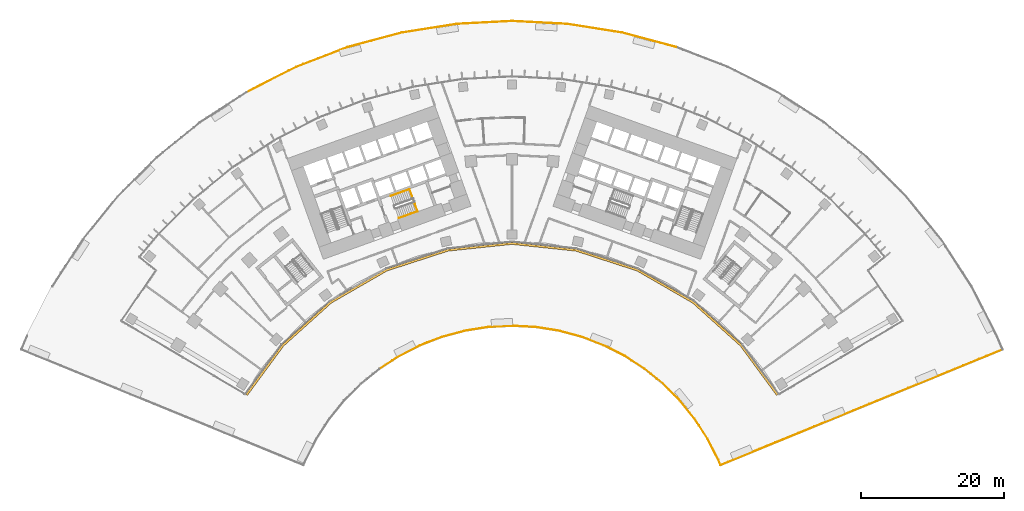
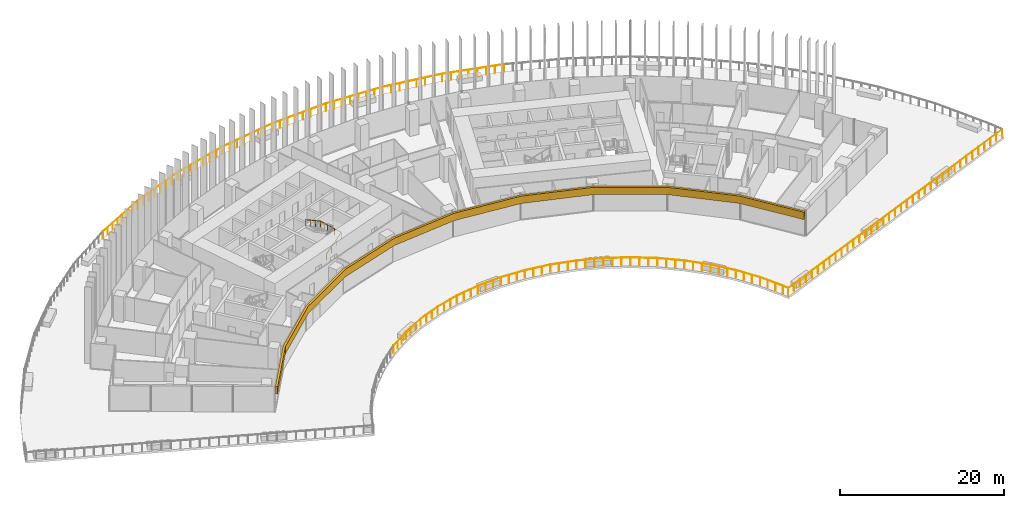
# One storey, part 23 of 24: 3 railings, 1 covering.
"""IFC4 building model written with IfcOpenShell, lengths in metres."""

from ifc_helpers import new_model, si_unit, direction, frame, origin, origin_2d, place, context, subcontext, project, spatial, polyline, circle, outline, extrude, material, layer, layer_set, type_object, element, save


model = new_model("IFC4")

# Units and contexts
model_context = context("Model", 3, precision=1e-05, world=origin(), true_north=direction((0.0, 1.0)))
body_context = subcontext(model_context, "Body", "Model", "MODEL_VIEW")
ifc_project = project(units=[si_unit("LENGTHUNIT", "METRE"), si_unit("AREAUNIT", "SQUARE_METRE"), si_unit("VOLUMEUNIT", "CUBIC_METRE"), si_unit("PLANEANGLEUNIT", "RADIAN"), si_unit("MASSUNIT", "GRAM", prefix="KILO")], contexts=[model_context])

# Site, building, storey
site_placement = place(None, origin())
site = spatial("IfcSite", under=ifc_project, at=site_placement, CompositionType="ELEMENT")
building_placement = place(site_placement, origin())
building = spatial("IfcBuilding", under=site, at=building_placement, Name="Stone Belt Terrace Tower", CompositionType="ELEMENT")
storey_placement = place(building_placement, frame((0.0, 0.0, 30.0)))
storey = spatial("IfcBuildingStorey", under=building, at=storey_placement, Name="L06", CompositionType="ELEMENT", Elevation=30.0)

# Railings
ifc_material_1 = material(Name="Structural steel C345", Category="steel")
railing_type_1 = type_object("IfcRailingType", Name="Stair handrail 900", PredefinedType="HANDRAIL", material=ifc_material_1)
railing_1_placement = place(storey_placement, frame((-15.8642578125, 46.7392578125, 0.172607421875)))
element("IfcRailing", 1, at=railing_1_placement, inside=storey, type_object=railing_type_1, Name="L06 ST2A stair handrail 1", PredefinedType="HANDRAIL", context=body_context, shape_type="SweptSolid", body=[
    extrude(circle(Radius=0.02392578125, at=origin_2d()), frame((0.0, 0.0, 0.8759765625), z_axis=(0.800791768495, 0.288228637646, 0.525030280985), x_axis=(-0.338660803216, 0.940908529223, 0.0)), (0.0, 0.0, 1.0), 3.289794921875),
    extrude(circle(Radius=0.02392578125, at=origin_2d()), frame((2.634521484375, 0.9482421875, 2.60302734375), z_axis=(-0.338158948057, 0.939634149308, 0.052308615955), x_axis=(-0.940922302781, -0.338622533404, 0.0)), (0.0, 0.0, 1.0), 3.304443359375),
    extrude(circle(Radius=0.02392578125, at=origin_2d()), frame((1.51708984375, 4.05322265625, 2.77587890625), z_axis=(-0.800791768495, -0.288228637646, 0.525030280985), x_axis=(0.338660803216, -0.940908529223, 0.0)), (0.0, 0.0, 1.0), 3.289794921875),
    extrude(circle(Radius=0.02099609375, at=origin_2d()), origin(), (0.0, 0.0, 1.0), 0.851806640625),
    extrude(circle(Radius=0.02099609375, at=origin_2d()), frame((0.878173828125, 0.316162109375, 0.57568359375)), (0.0, 0.0, 1.0), 0.851806640625),
    extrude(circle(Radius=0.02099609375, at=origin_2d()), frame((1.75634765625, 0.632080078125, 1.151611328125)), (0.0, 0.0, 1.0), 0.851806640625),
    extrude(circle(Radius=0.02099609375, at=origin_2d()), frame((2.634521484375, 0.9482421875, 1.727294921875)), (0.0, 0.0, 1.0), 0.851806640625),
    extrude(circle(Radius=0.02099609375, at=origin_2d()), frame((2.261962890625, 1.983154296875, 1.784912109375)), (0.0, 0.0, 1.0), 0.851806640625),
    extrude(circle(Radius=0.02099609375, at=origin_2d()), frame((1.8896484375, 3.018310546875, 1.842529296875)), (0.0, 0.0, 1.0), 0.851806640625),
    extrude(circle(Radius=0.02099609375, at=origin_2d()), frame((1.51708984375, 4.05322265625, 1.900146484375)), (0.0, 0.0, 1.0), 0.851806640625),
    extrude(circle(Radius=0.02099609375, at=origin_2d()), frame((0.638916015625, 3.737060546875, 2.475830078125)), (0.0, 0.0, 1.0), 0.851806640625),
    extrude(circle(Radius=0.02099609375, at=origin_2d()), frame((-0.2392578125, 3.421142578125, 3.0517578125)), (0.0, 0.0, 1.0), 0.851806640625),
    extrude(circle(Radius=0.02099609375, at=origin_2d()), frame((-1.117431640625, 3.10498046875, 3.62744140625)), (0.0, 0.0, 1.0), 0.851806640625),
])
ifc_material_2 = material(Name="Stainless steel AISI 304", Category="steel")
railing_type_2 = type_object("IfcRailingType", Name="Terrace guard 1200", PredefinedType="GUARDRAIL", material=ifc_material_2)
railing_2_placement = place(storey_placement, frame((-18.603515625, 25.60546875, 0.0)))
element("IfcRailing", 2, at=railing_2_placement, inside=storey, type_object=railing_type_2, Name="GUARD L06 1.2", PredefinedType="GUARDRAIL", context=body_context, shape_type="SweptSolid", body=[
    extrude(circle(Radius=0.02490234375, at=origin_2d()), frame((0.0, 0.0, 1.1748046875), z_axis=(0.838645603885, 0.544677474369, 0.0), x_axis=(-0.544677474369, 0.838645603885, 0.0)), (0.0, 0.0, 1.0), 3.312744140625),
    extrude(circle(Radius=0.02490234375, at=origin_2d()), frame((2.7783203125, 1.804443359375, 1.1748046875), z_axis=(0.891026561624, 0.453951171913, 0.0), x_axis=(-0.453951171913, 0.891026561624, 0.0)), (0.0, 0.0, 1.0), 3.31298828125),
    extrude(circle(Radius=0.02490234375, at=origin_2d()), frame((5.730224609375, 3.308349609375, 1.1748046875), z_axis=(0.93357523868, 0.35838146398, 0.0), x_axis=(-0.35838146398, 0.93357523868, 0.0)), (0.0, 0.0, 1.0), 3.312744140625),
    extrude(circle(Radius=0.02490234375, at=origin_2d()), frame((8.822998046875, 4.49560546875, 1.1748046875), z_axis=(0.965926011729, 0.258818353032, 0.0), x_axis=(-0.258818353032, 0.965926011729, 0.0)), (0.0, 0.0, 1.0), 3.312744140625),
    extrude(circle(Radius=0.02490234375, at=origin_2d()), frame((12.02294921875, 5.35302734375, 1.1748046875), z_axis=(0.987686366803, 0.156446926563, 0.0), x_axis=(-0.156446926563, 0.987686366803, 0.0)), (0.0, 0.0, 1.0), 3.31298828125),
    extrude(circle(Radius=0.02490234375, at=origin_2d()), frame((15.295166015625, 5.871337890625, 1.1748046875), z_axis=(0.998630219544, 0.052322888043, 0.0), x_axis=(-0.052322888043, 0.998630219544, 0.0)), (0.0, 0.0, 1.0), 3.31298828125),
    extrude(circle(Radius=0.02490234375, at=origin_2d()), frame((18.603515625, 6.044677734375, 1.1748046875), z_axis=(0.998630219544, -0.052322888043, 0.0), x_axis=(0.052322888043, 0.998630219544, 0.0)), (0.0, 0.0, 1.0), 3.31298828125),
    extrude(circle(Radius=0.02490234375, at=origin_2d()), frame((21.911865234375, 5.871337890625, 1.1748046875), z_axis=(0.987686366803, -0.156446926563, 0.0), x_axis=(0.156446926563, 0.987686366803, 0.0)), (0.0, 0.0, 1.0), 3.31298828125),
    extrude(circle(Radius=0.02490234375, at=origin_2d()), frame((25.18408203125, 5.35302734375, 1.1748046875), z_axis=(0.965926011729, -0.258818353032, 0.0), x_axis=(0.258818353032, 0.965926011729, 0.0)), (0.0, 0.0, 1.0), 3.312744140625),
    extrude(circle(Radius=0.02490234375, at=origin_2d()), frame((28.384033203125, 4.49560546875, 1.1748046875), z_axis=(0.93357523868, -0.35838146398, 0.0), x_axis=(0.35838146398, 0.93357523868, 0.0)), (0.0, 0.0, 1.0), 3.312744140625),
    extrude(circle(Radius=0.02490234375, at=origin_2d()), frame((31.476806640625, 3.308349609375, 1.1748046875), z_axis=(0.891026561624, -0.453951171913, 0.0), x_axis=(0.453951171913, 0.891026561624, 0.0)), (0.0, 0.0, 1.0), 3.31298828125),
    extrude(circle(Radius=0.02490234375, at=origin_2d()), frame((34.4287109375, 1.804443359375, 1.1748046875), z_axis=(0.838645603885, -0.544677474369, 0.0), x_axis=(0.544677474369, 0.838645603885, 0.0)), (0.0, 0.0, 1.0), 3.312744140625),
    extrude(circle(Radius=0.02490234375, at=origin_2d()), frame((37.20703125, 0.0, 1.1748046875), z_axis=(0.777181368406, -0.629276664595, 0.0), x_axis=(0.629276664595, 0.777181368406, 0.0)), (0.0, 0.0, 1.0), 3.31298828125),
    extrude(circle(Radius=0.02490234375, at=origin_2d()), frame((39.78173828125, -2.084716796875, 1.1748046875), z_axis=(0.707106781187, -0.707106781187, 0.0), x_axis=(0.707106781187, 0.707106781187, 0.0)), (0.0, 0.0, 1.0), 3.312744140625),
    extrude(circle(Radius=0.02490234375, at=origin_2d()), frame((42.124267578125, -4.42724609375, 1.1748046875), z_axis=(0.629276664595, -0.777181368406, 0.0), x_axis=(0.777181368406, 0.629276664595, 0.0)), (0.0, 0.0, 1.0), 3.31298828125),
    extrude(circle(Radius=0.02490234375, at=origin_2d()), frame((44.208984375, -7.001953125, 1.1748046875), z_axis=(0.544677474369, -0.838645603885, 0.0), x_axis=(0.838645603885, 0.544677474369, 0.0)), (0.0, 0.0, 1.0), 3.312744140625),
    extrude(circle(Radius=0.02490234375, at=origin_2d()), frame((46.013427734375, -9.7802734375, 1.1748046875), z_axis=(0.453956717024, -0.891023736535, 0.0), x_axis=(0.891023736535, 0.453956717024, 0.0)), (0.0, 0.0, 1.0), 3.310302734375),
    extrude(circle(Radius=0.02490234375, at=origin_2d()), frame((47.51611328125, -12.729736328125, 1.1748046875), z_axis=(0.393255393644, -0.919429276981, 0.0), x_axis=(0.919429276981, 0.393255393644, 0.0)), (0.0, 0.0, 1.0), 0.799072265625),
    extrude(circle(Radius=0.02490234375, at=origin_2d()), frame((47.830322265625, -13.46435546875, 1.1748046875), z_axis=(0.925297113284, 0.379242998814, 0.0), x_axis=(-0.379242998814, 0.925297113284, 0.0)), (0.0, 0.0, 1.0), 42.69970703125),
    extrude(circle(Radius=0.02001953125, at=origin_2d()), origin(), (0.0, 0.0, 1.0), 1.14990234375),
    extrude(circle(Radius=0.02001953125, at=origin_2d()), frame((0.926025390625, 0.6015625, 0.0)), (0.0, 0.0, 1.0), 1.14990234375),
    extrude(circle(Radius=0.02001953125, at=origin_2d()), frame((1.852294921875, 1.202880859375, 0.0)), (0.0, 0.0, 1.0), 1.14990234375),
    extrude(circle(Radius=0.02001953125, at=origin_2d()), frame((2.7783203125, 1.804443359375, 0.0)), (0.0, 0.0, 1.0), 1.14990234375),
    extrude(circle(Radius=0.02001953125, at=origin_2d()), frame((3.76220703125, 2.3056640625, 0.0)), (0.0, 0.0, 1.0), 1.14990234375),
    extrude(circle(Radius=0.02001953125, at=origin_2d()), frame((4.746337890625, 2.80712890625, 0.0)), (0.0, 0.0, 1.0), 1.14990234375),
    extrude(circle(Radius=0.02001953125, at=origin_2d()), frame((5.730224609375, 3.308349609375, 0.0)), (0.0, 0.0, 1.0), 1.14990234375),
    extrude(circle(Radius=0.02001953125, at=origin_2d()), frame((6.76123046875, 3.7041015625, 0.0)), (0.0, 0.0, 1.0), 1.14990234375),
    extrude(circle(Radius=0.02001953125, at=origin_2d()), frame((7.7919921875, 4.099853515625, 0.0)), (0.0, 0.0, 1.0), 1.14990234375),
    extrude(circle(Radius=0.02001953125, at=origin_2d()), frame((8.822998046875, 4.49560546875, 0.0)), (0.0, 0.0, 1.0), 1.14990234375),
    extrude(circle(Radius=0.02001953125, at=origin_2d()), frame((9.8896484375, 4.781494140625, 0.0)), (0.0, 0.0, 1.0), 1.14990234375),
    extrude(circle(Radius=0.02001953125, at=origin_2d()), frame((10.956298828125, 5.067138671875, 0.0)), (0.0, 0.0, 1.0), 1.14990234375),
    extrude(circle(Radius=0.02001953125, at=origin_2d()), frame((12.02294921875, 5.35302734375, 0.0)), (0.0, 0.0, 1.0), 1.14990234375),
    extrude(circle(Radius=0.02001953125, at=origin_2d()), frame((13.11376953125, 5.52587890625, 0.0)), (0.0, 0.0, 1.0), 1.14990234375),
    extrude(circle(Radius=0.02001953125, at=origin_2d()), frame((14.204345703125, 5.698486328125, 0.0)), (0.0, 0.0, 1.0), 1.14990234375),
    extrude(circle(Radius=0.02001953125, at=origin_2d()), frame((15.295166015625, 5.871337890625, 0.0)), (0.0, 0.0, 1.0), 1.14990234375),
    extrude(circle(Radius=0.02001953125, at=origin_2d()), frame((16.39794921875, 5.92919921875, 0.0)), (0.0, 0.0, 1.0), 1.14990234375),
    extrude(circle(Radius=0.02001953125, at=origin_2d()), frame((17.500732421875, 5.98681640625, 0.0)), (0.0, 0.0, 1.0), 1.14990234375),
    extrude(circle(Radius=0.02001953125, at=origin_2d()), frame((18.603515625, 6.044677734375, 0.0)), (0.0, 0.0, 1.0), 1.14990234375),
    extrude(circle(Radius=0.02001953125, at=origin_2d()), frame((19.706298828125, 5.98681640625, 0.0)), (0.0, 0.0, 1.0), 1.14990234375),
    extrude(circle(Radius=0.02001953125, at=origin_2d()), frame((20.80908203125, 5.92919921875, 0.0)), (0.0, 0.0, 1.0), 1.14990234375),
    extrude(circle(Radius=0.02001953125, at=origin_2d()), frame((21.911865234375, 5.871337890625, 0.0)), (0.0, 0.0, 1.0), 1.14990234375),
    extrude(circle(Radius=0.02001953125, at=origin_2d()), frame((23.002685546875, 5.698486328125, 0.0)), (0.0, 0.0, 1.0), 1.14990234375),
    extrude(circle(Radius=0.02001953125, at=origin_2d()), frame((24.09326171875, 5.52587890625, 0.0)), (0.0, 0.0, 1.0), 1.14990234375),
    extrude(circle(Radius=0.02001953125, at=origin_2d()), frame((25.18408203125, 5.35302734375, 0.0)), (0.0, 0.0, 1.0), 1.14990234375),
    extrude(circle(Radius=0.02001953125, at=origin_2d()), frame((26.250732421875, 5.067138671875, 0.0)), (0.0, 0.0, 1.0), 1.14990234375),
    extrude(circle(Radius=0.02001953125, at=origin_2d()), frame((27.3173828125, 4.781494140625, 0.0)), (0.0, 0.0, 1.0), 1.14990234375),
    extrude(circle(Radius=0.02001953125, at=origin_2d()), frame((28.384033203125, 4.49560546875, 0.0)), (0.0, 0.0, 1.0), 1.14990234375),
    extrude(circle(Radius=0.02001953125, at=origin_2d()), frame((29.4150390625, 4.099853515625, 0.0)), (0.0, 0.0, 1.0), 1.14990234375),
    extrude(circle(Radius=0.02001953125, at=origin_2d()), frame((30.44580078125, 3.7041015625, 0.0)), (0.0, 0.0, 1.0), 1.14990234375),
    extrude(circle(Radius=0.02001953125, at=origin_2d()), frame((31.476806640625, 3.308349609375, 0.0)), (0.0, 0.0, 1.0), 1.14990234375),
    extrude(circle(Radius=0.02001953125, at=origin_2d()), frame((32.460693359375, 2.80712890625, 0.0)), (0.0, 0.0, 1.0), 1.14990234375),
    extrude(circle(Radius=0.02001953125, at=origin_2d()), frame((33.44482421875, 2.3056640625, 0.0)), (0.0, 0.0, 1.0), 1.14990234375),
    extrude(circle(Radius=0.02001953125, at=origin_2d()), frame((34.4287109375, 1.804443359375, 0.0)), (0.0, 0.0, 1.0), 1.14990234375),
    extrude(circle(Radius=0.02001953125, at=origin_2d()), frame((35.354736328125, 1.202880859375, 0.0)), (0.0, 0.0, 1.0), 1.14990234375),
    extrude(circle(Radius=0.02001953125, at=origin_2d()), frame((36.281005859375, 0.6015625, 0.0)), (0.0, 0.0, 1.0), 1.14990234375),
    extrude(circle(Radius=0.02001953125, at=origin_2d()), frame((37.20703125, 0.0, 0.0)), (0.0, 0.0, 1.0), 1.14990234375),
    extrude(circle(Radius=0.02001953125, at=origin_2d()), frame((38.065185546875, -0.69482421875, 0.0)), (0.0, 0.0, 1.0), 1.14990234375),
    extrude(circle(Radius=0.02001953125, at=origin_2d()), frame((38.923583984375, -1.389892578125, 0.0)), (0.0, 0.0, 1.0), 1.14990234375),
    extrude(circle(Radius=0.02001953125, at=origin_2d()), frame((39.78173828125, -2.084716796875, 0.0)), (0.0, 0.0, 1.0), 1.14990234375),
    extrude(circle(Radius=0.02001953125, at=origin_2d()), frame((40.5625, -2.865478515625, 0.0)), (0.0, 0.0, 1.0), 1.14990234375),
    extrude(circle(Radius=0.02001953125, at=origin_2d()), frame((41.343505859375, -3.646484375, 0.0)), (0.0, 0.0, 1.0), 1.14990234375),
    extrude(circle(Radius=0.02001953125, at=origin_2d()), frame((42.124267578125, -4.42724609375, 0.0)), (0.0, 0.0, 1.0), 1.14990234375),
    extrude(circle(Radius=0.02001953125, at=origin_2d()), frame((42.819091796875, -5.285400390625, 0.0)), (0.0, 0.0, 1.0), 1.14990234375),
    extrude(circle(Radius=0.02001953125, at=origin_2d()), frame((43.51416015625, -6.143798828125, 0.0)), (0.0, 0.0, 1.0), 1.14990234375),
    extrude(circle(Radius=0.02001953125, at=origin_2d()), frame((44.208984375, -7.001953125, 0.0)), (0.0, 0.0, 1.0), 1.14990234375),
    extrude(circle(Radius=0.02001953125, at=origin_2d()), frame((44.810546875, -7.927978515625, 0.0)), (0.0, 0.0, 1.0), 1.14990234375),
    extrude(circle(Radius=0.02001953125, at=origin_2d()), frame((45.411865234375, -8.854248046875, 0.0)), (0.0, 0.0, 1.0), 1.14990234375),
    extrude(circle(Radius=0.02001953125, at=origin_2d()), frame((46.013427734375, -9.7802734375, 0.0)), (0.0, 0.0, 1.0), 1.14990234375),
    extrude(circle(Radius=0.02001953125, at=origin_2d()), frame((46.514404296875, -10.763427734375, 0.0)), (0.0, 0.0, 1.0), 1.14990234375),
    extrude(circle(Radius=0.02001953125, at=origin_2d()), frame((47.01513671875, -11.74658203125, 0.0)), (0.0, 0.0, 1.0), 1.14990234375),
    extrude(circle(Radius=0.02001953125, at=origin_2d()), frame((47.51611328125, -12.729736328125, 0.0)), (0.0, 0.0, 1.0), 1.14990234375),
    extrude(circle(Radius=0.02001953125, at=origin_2d()), frame((47.830322265625, -13.46435546875, 0.0)), (0.0, 0.0, 1.0), 1.14990234375),
    extrude(circle(Radius=0.02001953125, at=origin_2d()), frame((48.927734375, -13.0146484375, 0.0)), (0.0, 0.0, 1.0), 1.14990234375),
    extrude(circle(Radius=0.02001953125, at=origin_2d()), frame((50.025390625, -12.564697265625, 0.0)), (0.0, 0.0, 1.0), 1.14990234375),
    extrude(circle(Radius=0.02001953125, at=origin_2d()), frame((51.122802734375, -12.114990234375, 0.0)), (0.0, 0.0, 1.0), 1.14990234375),
    extrude(circle(Radius=0.02001953125, at=origin_2d()), frame((52.22021484375, -11.6650390625, 0.0)), (0.0, 0.0, 1.0), 1.14990234375),
    extrude(circle(Radius=0.02001953125, at=origin_2d()), frame((53.31787109375, -11.21533203125, 0.0)), (0.0, 0.0, 1.0), 1.14990234375),
    extrude(circle(Radius=0.02001953125, at=origin_2d()), frame((54.415283203125, -10.765380859375, 0.0)), (0.0, 0.0, 1.0), 1.14990234375),
    extrude(circle(Radius=0.02001953125, at=origin_2d()), frame((55.512939453125, -10.315673828125, 0.0)), (0.0, 0.0, 1.0), 1.14990234375),
    extrude(circle(Radius=0.02001953125, at=origin_2d()), frame((56.6103515625, -9.86572265625, 0.0)), (0.0, 0.0, 1.0), 1.14990234375),
    extrude(circle(Radius=0.02001953125, at=origin_2d()), frame((57.707763671875, -9.416015625, 0.0)), (0.0, 0.0, 1.0), 1.14990234375),
    extrude(circle(Radius=0.02001953125, at=origin_2d()), frame((58.805419921875, -8.966064453125, 0.0)), (0.0, 0.0, 1.0), 1.14990234375),
    extrude(circle(Radius=0.02001953125, at=origin_2d()), frame((59.90283203125, -8.516357421875, 0.0)), (0.0, 0.0, 1.0), 1.14990234375),
    extrude(circle(Radius=0.02001953125, at=origin_2d()), frame((61.000244140625, -8.06640625, 0.0)), (0.0, 0.0, 1.0), 1.14990234375),
    extrude(circle(Radius=0.02001953125, at=origin_2d()), frame((62.097900390625, -7.61669921875, 0.0)), (0.0, 0.0, 1.0), 1.14990234375),
    extrude(circle(Radius=0.02001953125, at=origin_2d()), frame((63.1953125, -7.166748046875, 0.0)), (0.0, 0.0, 1.0), 1.14990234375),
    extrude(circle(Radius=0.02001953125, at=origin_2d()), frame((64.292724609375, -6.717041015625, 0.0)), (0.0, 0.0, 1.0), 1.14990234375),
    extrude(circle(Radius=0.02001953125, at=origin_2d()), frame((65.390380859375, -6.26708984375, 0.0)), (0.0, 0.0, 1.0), 1.14990234375),
    extrude(circle(Radius=0.02001953125, at=origin_2d()), frame((66.48779296875, -5.8173828125, 0.0)), (0.0, 0.0, 1.0), 1.14990234375),
    extrude(circle(Radius=0.02001953125, at=origin_2d()), frame((67.58544921875, -5.36767578125, 0.0)), (0.0, 0.0, 1.0), 1.14990234375),
    extrude(circle(Radius=0.02001953125, at=origin_2d()), frame((68.682861328125, -4.917724609375, 0.0)), (0.0, 0.0, 1.0), 1.14990234375),
    extrude(circle(Radius=0.02001953125, at=origin_2d()), frame((69.7802734375, -4.468017578125, 0.0)), (0.0, 0.0, 1.0), 1.14990234375),
    extrude(circle(Radius=0.02001953125, at=origin_2d()), frame((70.8779296875, -4.01806640625, 0.0)), (0.0, 0.0, 1.0), 1.14990234375),
    extrude(circle(Radius=0.02001953125, at=origin_2d()), frame((71.975341796875, -3.568359375, 0.0)), (0.0, 0.0, 1.0), 1.14990234375),
    extrude(circle(Radius=0.02001953125, at=origin_2d()), frame((73.07275390625, -3.118408203125, 0.0)), (0.0, 0.0, 1.0), 1.14990234375),
    extrude(circle(Radius=0.02001953125, at=origin_2d()), frame((74.17041015625, -2.668701171875, 0.0)), (0.0, 0.0, 1.0), 1.14990234375),
    extrude(circle(Radius=0.02001953125, at=origin_2d()), frame((75.267822265625, -2.21875, 0.0)), (0.0, 0.0, 1.0), 1.14990234375),
    extrude(circle(Radius=0.02001953125, at=origin_2d()), frame((76.365234375, -1.76904296875, 0.0)), (0.0, 0.0, 1.0), 1.14990234375),
    extrude(circle(Radius=0.02001953125, at=origin_2d()), frame((77.462890625, -1.319091796875, 0.0)), (0.0, 0.0, 1.0), 1.14990234375),
    extrude(circle(Radius=0.02001953125, at=origin_2d()), frame((78.560302734375, -0.869384765625, 0.0)), (0.0, 0.0, 1.0), 1.14990234375),
    extrude(circle(Radius=0.02001953125, at=origin_2d()), frame((79.65771484375, -0.41943359375, 0.0)), (0.0, 0.0, 1.0), 1.14990234375),
    extrude(circle(Radius=0.02001953125, at=origin_2d()), frame((80.75537109375, 0.0302734375, 0.0)), (0.0, 0.0, 1.0), 1.14990234375),
    extrude(circle(Radius=0.02001953125, at=origin_2d()), frame((81.852783203125, 0.480224609375, 0.0)), (0.0, 0.0, 1.0), 1.14990234375),
    extrude(circle(Radius=0.02001953125, at=origin_2d()), frame((82.950439453125, 0.929931640625, 0.0)), (0.0, 0.0, 1.0), 1.14990234375),
    extrude(circle(Radius=0.02001953125, at=origin_2d()), frame((84.0478515625, 1.3798828125, 0.0)), (0.0, 0.0, 1.0), 1.14990234375),
    extrude(circle(Radius=0.02001953125, at=origin_2d()), frame((85.145263671875, 1.82958984375, 0.0)), (0.0, 0.0, 1.0), 1.14990234375),
    extrude(circle(Radius=0.02001953125, at=origin_2d()), frame((86.242919921875, 2.279541015625, 0.0)), (0.0, 0.0, 1.0), 1.14990234375),
    extrude(circle(Radius=0.02001953125, at=origin_2d()), frame((87.34033203125, 2.729248046875, 0.0)), (0.0, 0.0, 1.0), 1.14990234375),
])
railing_3_placement = place(storey_placement, frame((22.975341796875, 70.7109375, 0.0)))
element("IfcRailing", 3, at=railing_3_placement, inside=storey, type_object=railing_type_2, Name="GUARD L06 1.4", PredefinedType="GUARDRAIL", context=body_context, shape_type="SweptSolid", body=[
    extrude(circle(Radius=0.02490234375, at=origin_2d()), frame((0.0, 0.0, 1.1748046875), z_axis=(-0.965927046902, 0.25881448967, 0.0), x_axis=(-0.25881448967, -0.965927046902, 0.0)), (0.0, 0.0, 1.0), 7.7822265625),
    extrude(circle(Radius=0.02490234375, at=origin_2d()), frame((-7.51708984375, 2.01416015625, 1.1748046875), z_axis=(-0.987691131017, 0.156416845993, 0.0), x_axis=(-0.156416845993, -0.987691131017, 0.0)), (0.0, 0.0, 1.0), 7.7822265625),
    extrude(circle(Radius=0.02490234375, at=origin_2d()), frame((-15.20361328125, 3.2314453125, 1.1748046875), z_axis=(-0.998628381626, 0.052357954605, 0.0), x_axis=(-0.052357954605, -0.998628381626, 0.0)), (0.0, 0.0, 1.0), 7.782470703125),
    extrude(circle(Radius=0.02490234375, at=origin_2d()), frame((-22.975341796875, 3.638916015625, 1.1748046875), z_axis=(-0.998628381626, -0.052357954605, 0.0), x_axis=(0.052357954605, -0.998628381626, 0.0)), (0.0, 0.0, 1.0), 7.782470703125),
    extrude(circle(Radius=0.02490234375, at=origin_2d()), frame((-30.7470703125, 3.2314453125, 1.1748046875), z_axis=(-0.987691131017, -0.156416845993, 0.0), x_axis=(0.156416845993, -0.987691131017, 0.0)), (0.0, 0.0, 1.0), 7.7822265625),
    extrude(circle(Radius=0.02490234375, at=origin_2d()), frame((-38.43359375, 2.01416015625, 1.1748046875), z_axis=(-0.965927046902, -0.25881448967, 0.0), x_axis=(0.25881448967, -0.965927046902, 0.0)), (0.0, 0.0, 1.0), 7.7822265625),
    extrude(circle(Radius=0.02490234375, at=origin_2d()), frame((-45.95068359375, 0.0, 1.1748046875), z_axis=(-0.933574231991, -0.358384086369, 0.0), x_axis=(0.358384086369, -0.933574231991, 0.0)), (0.0, 0.0, 1.0), 7.7822265625),
    extrude(circle(Radius=0.02490234375, at=origin_2d()), frame((-53.216064453125, -2.7890625, 1.1748046875), z_axis=(-0.891013399759, -0.453977005419, 0.0), x_axis=(0.453977005419, -0.891013399759, 0.0)), (0.0, 0.0, 1.0), 7.7822265625),
    extrude(circle(Radius=0.02001953125, at=origin_2d()), origin(), (0.0, 0.0, 1.0), 1.14990234375),
    extrude(circle(Radius=0.02001953125, at=origin_2d()), frame((-1.073974609375, 0.287841796875, 0.0)), (0.0, 0.0, 1.0), 1.14990234375),
    extrude(circle(Radius=0.02001953125, at=origin_2d()), frame((-2.147705078125, 0.575439453125, 0.0)), (0.0, 0.0, 1.0), 1.14990234375),
    extrude(circle(Radius=0.02001953125, at=origin_2d()), frame((-3.2216796875, 0.86328125, 0.0)), (0.0, 0.0, 1.0), 1.14990234375),
    extrude(circle(Radius=0.02001953125, at=origin_2d()), frame((-4.29541015625, 1.15087890625, 0.0)), (0.0, 0.0, 1.0), 1.14990234375),
    extrude(circle(Radius=0.02001953125, at=origin_2d()), frame((-5.369384765625, 1.438720703125, 0.0)), (0.0, 0.0, 1.0), 1.14990234375),
    extrude(circle(Radius=0.02001953125, at=origin_2d()), frame((-6.443115234375, 1.726318359375, 0.0)), (0.0, 0.0, 1.0), 1.14990234375),
    extrude(circle(Radius=0.02001953125, at=origin_2d()), frame((-7.51708984375, 2.01416015625, 0.0)), (0.0, 0.0, 1.0), 1.14990234375),
    extrude(circle(Radius=0.02001953125, at=origin_2d()), frame((-8.615234375, 2.18798828125, 0.0)), (0.0, 0.0, 1.0), 1.14990234375),
    extrude(circle(Radius=0.02001953125, at=origin_2d()), frame((-9.713134765625, 2.362060546875, 0.0)), (0.0, 0.0, 1.0), 1.14990234375),
    extrude(circle(Radius=0.02001953125, at=origin_2d()), frame((-10.811279296875, 2.535888671875, 0.0)), (0.0, 0.0, 1.0), 1.14990234375),
    extrude(circle(Radius=0.02001953125, at=origin_2d()), frame((-11.909423828125, 2.709716796875, 0.0)), (0.0, 0.0, 1.0), 1.14990234375),
    extrude(circle(Radius=0.02001953125, at=origin_2d()), frame((-13.007568359375, 2.883544921875, 0.0)), (0.0, 0.0, 1.0), 1.14990234375),
    extrude(circle(Radius=0.02001953125, at=origin_2d()), frame((-14.10546875, 3.0576171875, 0.0)), (0.0, 0.0, 1.0), 1.14990234375),
    extrude(circle(Radius=0.02001953125, at=origin_2d()), frame((-15.20361328125, 3.2314453125, 0.0)), (0.0, 0.0, 1.0), 1.14990234375),
    extrude(circle(Radius=0.02001953125, at=origin_2d()), frame((-16.31396484375, 3.28955078125, 0.0)), (0.0, 0.0, 1.0), 1.14990234375),
    extrude(circle(Radius=0.02001953125, at=origin_2d()), frame((-17.424072265625, 3.347900390625, 0.0)), (0.0, 0.0, 1.0), 1.14990234375),
    extrude(circle(Radius=0.02001953125, at=origin_2d()), frame((-18.534423828125, 3.406005859375, 0.0)), (0.0, 0.0, 1.0), 1.14990234375),
    extrude(circle(Radius=0.02001953125, at=origin_2d()), frame((-19.64453125, 3.46435546875, 0.0)), (0.0, 0.0, 1.0), 1.14990234375),
    extrude(circle(Radius=0.02001953125, at=origin_2d()), frame((-20.7548828125, 3.5224609375, 0.0)), (0.0, 0.0, 1.0), 1.14990234375),
    extrude(circle(Radius=0.02001953125, at=origin_2d()), frame((-21.864990234375, 3.580810546875, 0.0)), (0.0, 0.0, 1.0), 1.14990234375),
    extrude(circle(Radius=0.02001953125, at=origin_2d()), frame((-22.975341796875, 3.638916015625, 0.0)), (0.0, 0.0, 1.0), 1.14990234375),
    extrude(circle(Radius=0.02001953125, at=origin_2d()), frame((-24.085693359375, 3.580810546875, 0.0)), (0.0, 0.0, 1.0), 1.14990234375),
    extrude(circle(Radius=0.02001953125, at=origin_2d()), frame((-25.19580078125, 3.5224609375, 0.0)), (0.0, 0.0, 1.0), 1.14990234375),
    extrude(circle(Radius=0.02001953125, at=origin_2d()), frame((-26.30615234375, 3.46435546875, 0.0)), (0.0, 0.0, 1.0), 1.14990234375),
    extrude(circle(Radius=0.02001953125, at=origin_2d()), frame((-27.416259765625, 3.406005859375, 0.0)), (0.0, 0.0, 1.0), 1.14990234375),
    extrude(circle(Radius=0.02001953125, at=origin_2d()), frame((-28.526611328125, 3.347900390625, 0.0)), (0.0, 0.0, 1.0), 1.14990234375),
    extrude(circle(Radius=0.02001953125, at=origin_2d()), frame((-29.63671875, 3.28955078125, 0.0)), (0.0, 0.0, 1.0), 1.14990234375),
    extrude(circle(Radius=0.02001953125, at=origin_2d()), frame((-30.7470703125, 3.2314453125, 0.0)), (0.0, 0.0, 1.0), 1.14990234375),
    extrude(circle(Radius=0.02001953125, at=origin_2d()), frame((-31.84521484375, 3.0576171875, 0.0)), (0.0, 0.0, 1.0), 1.14990234375),
    extrude(circle(Radius=0.02001953125, at=origin_2d()), frame((-32.943115234375, 2.883544921875, 0.0)), (0.0, 0.0, 1.0), 1.14990234375),
    extrude(circle(Radius=0.02001953125, at=origin_2d()), frame((-34.041259765625, 2.709716796875, 0.0)), (0.0, 0.0, 1.0), 1.14990234375),
    extrude(circle(Radius=0.02001953125, at=origin_2d()), frame((-35.139404296875, 2.535888671875, 0.0)), (0.0, 0.0, 1.0), 1.14990234375),
    extrude(circle(Radius=0.02001953125, at=origin_2d()), frame((-36.237548828125, 2.362060546875, 0.0)), (0.0, 0.0, 1.0), 1.14990234375),
    extrude(circle(Radius=0.02001953125, at=origin_2d()), frame((-37.33544921875, 2.18798828125, 0.0)), (0.0, 0.0, 1.0), 1.14990234375),
    extrude(circle(Radius=0.02001953125, at=origin_2d()), frame((-38.43359375, 2.01416015625, 0.0)), (0.0, 0.0, 1.0), 1.14990234375),
    extrude(circle(Radius=0.02001953125, at=origin_2d()), frame((-39.507568359375, 1.726318359375, 0.0)), (0.0, 0.0, 1.0), 1.14990234375),
    extrude(circle(Radius=0.02001953125, at=origin_2d()), frame((-40.581298828125, 1.438720703125, 0.0)), (0.0, 0.0, 1.0), 1.14990234375),
    extrude(circle(Radius=0.02001953125, at=origin_2d()), frame((-41.6552734375, 1.15087890625, 0.0)), (0.0, 0.0, 1.0), 1.14990234375),
    extrude(circle(Radius=0.02001953125, at=origin_2d()), frame((-42.72900390625, 0.86328125, 0.0)), (0.0, 0.0, 1.0), 1.14990234375),
    extrude(circle(Radius=0.02001953125, at=origin_2d()), frame((-43.802978515625, 0.575439453125, 0.0)), (0.0, 0.0, 1.0), 1.14990234375),
    extrude(circle(Radius=0.02001953125, at=origin_2d()), frame((-44.876708984375, 0.287841796875, 0.0)), (0.0, 0.0, 1.0), 1.14990234375),
    extrude(circle(Radius=0.02001953125, at=origin_2d()), frame((-45.95068359375, 0.0, 0.0)), (0.0, 0.0, 1.0), 1.14990234375),
    extrude(circle(Radius=0.02001953125, at=origin_2d()), frame((-46.988525390625, -0.3984375, 0.0)), (0.0, 0.0, 1.0), 1.14990234375),
    extrude(circle(Radius=0.02001953125, at=origin_2d()), frame((-48.026611328125, -0.796875, 0.0)), (0.0, 0.0, 1.0), 1.14990234375),
    extrude(circle(Radius=0.02001953125, at=origin_2d()), frame((-49.064453125, -1.1953125, 0.0)), (0.0, 0.0, 1.0), 1.14990234375),
    extrude(circle(Radius=0.02001953125, at=origin_2d()), frame((-50.102294921875, -1.59375, 0.0)), (0.0, 0.0, 1.0), 1.14990234375),
    extrude(circle(Radius=0.02001953125, at=origin_2d()), frame((-51.14013671875, -1.9921875, 0.0)), (0.0, 0.0, 1.0), 1.14990234375),
    extrude(circle(Radius=0.02001953125, at=origin_2d()), frame((-52.17822265625, -2.390625, 0.0)), (0.0, 0.0, 1.0), 1.14990234375),
    extrude(circle(Radius=0.02001953125, at=origin_2d()), frame((-53.216064453125, -2.7890625, 0.0)), (0.0, 0.0, 1.0), 1.14990234375),
    extrude(circle(Radius=0.02001953125, at=origin_2d()), frame((-54.20654296875, -3.293701171875, 0.0)), (0.0, 0.0, 1.0), 1.14990234375),
    extrude(circle(Radius=0.02001953125, at=origin_2d()), frame((-55.197265625, -3.798583984375, 0.0)), (0.0, 0.0, 1.0), 1.14990234375),
    extrude(circle(Radius=0.02001953125, at=origin_2d()), frame((-56.187744140625, -4.30322265625, 0.0)), (0.0, 0.0, 1.0), 1.14990234375),
    extrude(circle(Radius=0.02001953125, at=origin_2d()), frame((-57.178466796875, -4.807861328125, 0.0)), (0.0, 0.0, 1.0), 1.14990234375),
    extrude(circle(Radius=0.02001953125, at=origin_2d()), frame((-58.1689453125, -5.3125, 0.0)), (0.0, 0.0, 1.0), 1.14990234375),
    extrude(circle(Radius=0.02001953125, at=origin_2d()), frame((-59.15966796875, -5.8173828125, 0.0)), (0.0, 0.0, 1.0), 1.14990234375),
    extrude(circle(Radius=0.02001953125, at=origin_2d()), frame((-60.150146484375, -6.322021484375, 0.0)), (0.0, 0.0, 1.0), 1.14990234375),
])

# Covering
ifc_material_3 = material(Name="Terracotta coloured glazed ceramic", Category="masonry")
ifc_layer = layer(ifc_material_3, 0.300048828125)
ifc_layer_set = layer_set([ifc_layer], Name="Terracotta spandrel band 300 x 1100")
covering_type = type_object("IfcCoveringType", Name="Terracotta spandrel band 300 x 1100", PredefinedType="CLADDING", material=ifc_layer_set)
covering_placement = place(storey_placement, frame((0.0, 0.0, 2.699951171875)))
element("IfcCovering", 4, at=covering_placement, inside=storey, type_object=covering_type, Name="BAND L06", PredefinedType="CLADDING", context=body_context, shape_type="SweptSolid", body=[
    extrude(outline(polyline([(-37.3134765625, 22.068115234375), (-32.215087890625, 29.006103515625), (-25.47998046875, 35.0703125), (-17.631591796875, 39.6015625), (-9.0126953125, 42.40185546875), (0.0, 43.34912109375), (9.0126953125, 42.40185546875), (17.631591796875, 39.6015625), (25.47998046875, 35.0703125), (32.215087890625, 29.006103515625), (37.3134765625, 22.068115234375), (37.071533203125, 21.890380859375), (31.991455078125, 28.8037109375), (25.302734375, 34.826171875), (17.509033203125, 39.325927734375), (8.9501953125, 42.10693359375), (0.0, 43.047607421875), (-8.9501953125, 42.10693359375), (-17.509033203125, 39.325927734375), (-25.302734375, 34.826171875), (-31.991455078125, 28.8037109375), (-37.071533203125, 21.890380859375), (-37.3134765625, 22.068115234375)])), origin(), (0.0, 0.0, 1.0), 1.10009765625),
])

save(model, "model.ifc")
